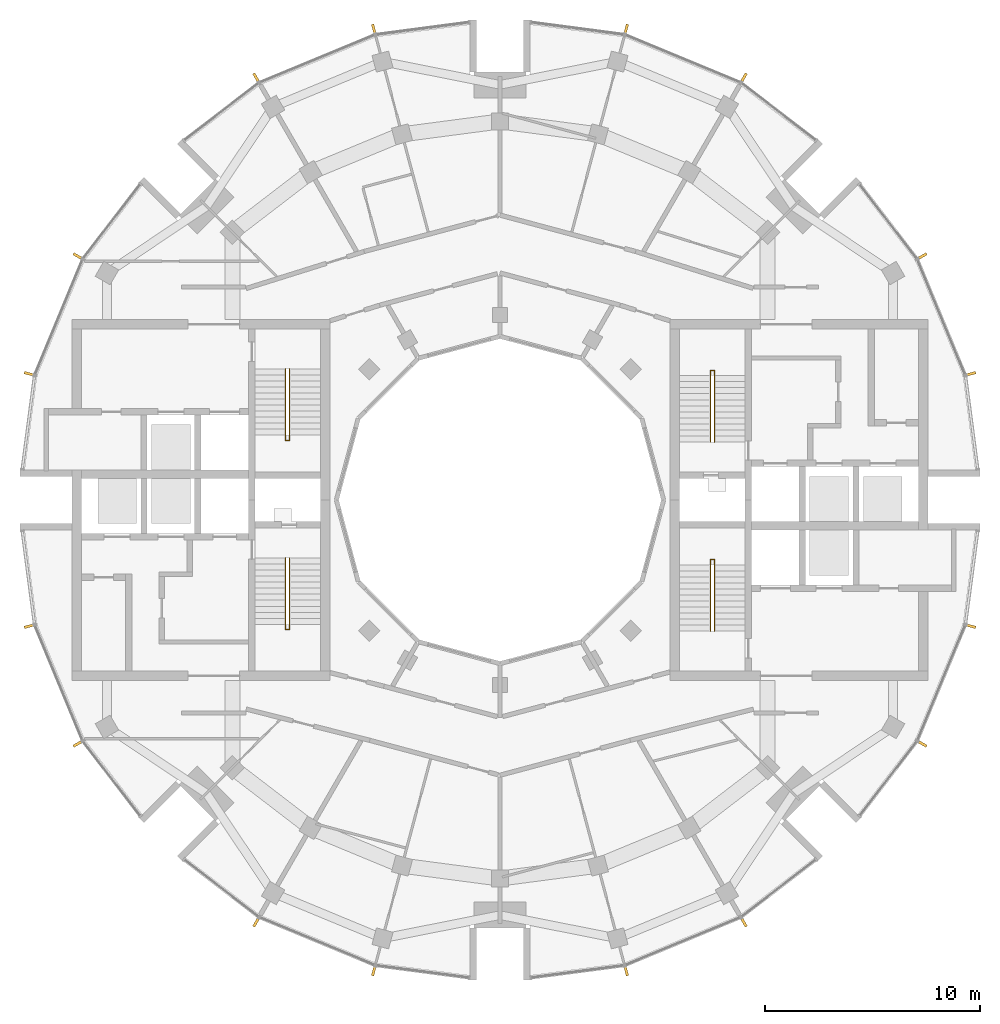
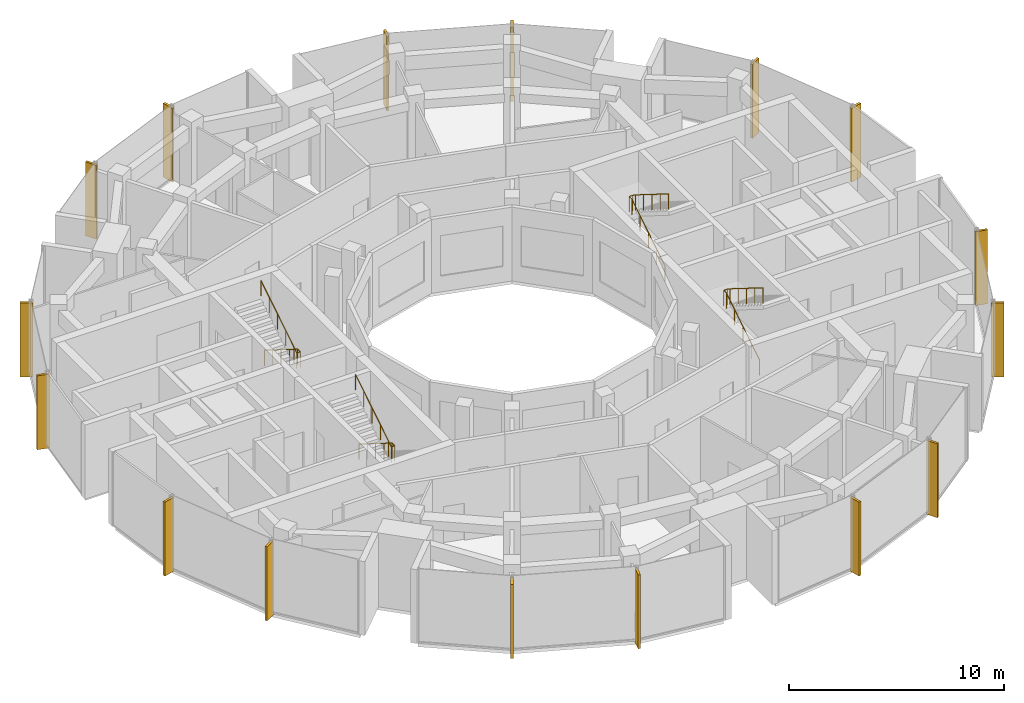
# One storey, part 13 of 14: 16 shading devices, 4 railings.
"""IFC4 building model written with IfcOpenShell, lengths in metres."""

from ifc_helpers import new_model, si_unit, direction, frame, origin, origin_2d, place, context, subcontext, project, spatial, rectangle, circle, extrude, material, material_profile, profile_set, type_object, element, save


model = new_model("IFC4")

# Units and contexts
model_context = context("Model", 3, precision=1e-05, world=origin(), true_north=direction((0.0, 1.0)))
body_context = subcontext(model_context, "Body", "Model", "MODEL_VIEW")
ifc_project = project(units=[si_unit("LENGTHUNIT", "METRE"), si_unit("AREAUNIT", "SQUARE_METRE"), si_unit("VOLUMEUNIT", "CUBIC_METRE"), si_unit("PLANEANGLEUNIT", "RADIAN"), si_unit("MASSUNIT", "GRAM", prefix="KILO")], contexts=[model_context])

# Site, building, storey
site_placement = place(None, origin())
site = spatial("IfcSite", under=ifc_project, at=site_placement, CompositionType="ELEMENT")
building_placement = place(site_placement, origin())
building = spatial("IfcBuilding", under=site, at=building_placement, Name="Torre Brocal", CompositionType="ELEMENT")
storey_placement = place(building_placement, frame((0.0, 0.0, 305.10009765625)))
storey = spatial("IfcBuildingStorey", under=building, at=storey_placement, Name="L70", CompositionType="ELEMENT", Elevation=305.10009765625)

# Shading devices
ifc_material_1 = material(Name="Aluminium, black anodised", Category="aluminium")
ifc_material_profile = material_profile(ifc_material_1, rectangle(XDim=0.1201171875, YDim=0.60009765625, at=origin_2d()), Name="FIN 120X600 4200 HIGH")
ifc_profile_set = profile_set([ifc_material_profile], Name="Aluminium, black anodised")
shading_device_type = type_object("IfcShadingDeviceType", Name="FIN 120X600 4200 HIGH", PredefinedType="USERDEFINED", material=ifc_profile_set)
for number, where, z_axis, x_axis, name in (
    (1, (101.828369140625, 80.848876953125, -0.150146484375), (0.0, 0.0, 1.0), (-0.258819045103, 0.965925826289, 0.0), "FIN"),
    (2, (99.57080078125, 86.299072265625, -0.150146484375), (0.0, 0.0, 1.0), (-0.5, 0.866025403784, 0.0), "FIN"),
    (3, (91.299072265625, 94.57080078125, -0.150146484375), (0.0, 0.0, 1.0), (-0.866025403784, 0.5, 0.0), "FIN"),
    (4, (85.848876953125, 96.828369140625, -0.150146484375), (0.0, 0.0, 1.0), (-0.965925826289, 0.258819045103, 0.0), "FIN"),
    (5, (74.151123046875, 96.828369140625, -0.150146484375), (0.0, 0.0, 1.0), (-0.965925826289, -0.258819045103, 0.0), "FIN"),
    (6, (68.700927734375, 94.57080078125, -0.150146484375), (0.0, 0.0, 1.0), (-0.866025403784, -0.5, 0.0), "FIN"),
    (7, (60.42919921875, 86.299072265625, -0.150146484375), (0.0, 0.0, 1.0), (-0.5, -0.866025403784, 0.0), "FIN"),
    (8, (58.171630859375, 80.848876953125, -0.150146484375), (0.0, 0.0, 1.0), (-0.258819045103, -0.965925826289, 0.0), "FIN"),
    (9, (58.171630859375, 69.151123046875, -0.150146484375), (0.0, 0.0, 1.0), (0.258819045103, -0.965925826289, 0.0), "FIN"),
    (10, (60.42919921875, 63.700927734375, -0.150146484375), (0.0, 0.0, 1.0), (0.5, -0.866025403784, 0.0), "FIN"),
    (11, (68.700927734375, 55.42919921875, -0.150146484375), (0.0, 0.0, 1.0), (0.866025403784, -0.5, 0.0), "FIN"),
    (12, (74.151123046875, 53.171630859375, -0.150146484375), (0.0, 0.0, 1.0), (0.965925826289, -0.258819045103, 0.0), "FIN"),
    (13, (85.848876953125, 53.171630859375, -0.150146484375), (0.0, 0.0, 1.0), (0.965925826289, 0.258819045103, 0.0), "FIN"),
    (14, (91.299072265625, 55.42919921875, -0.150146484375), (0.0, 0.0, 1.0), (0.866025403784, 0.5, 0.0), "FIN"),
    (15, (99.57080078125, 63.700927734375, -0.150146484375), (0.0, 0.0, 1.0), (0.5, 0.866025403784, 0.0), "FIN"),
    (16, (101.828369140625, 69.151123046875, -0.150146484375), (0.0, 0.0, 1.0), (0.258819045103, 0.965925826289, 0.0), "FIN"),
):
    element("IfcShadingDevice", number, at=place(storey_placement, frame(where, z_axis=z_axis, x_axis=x_axis)), inside=storey, type_object=shading_device_type, Name=name, ObjectType="FIN", PredefinedType="USERDEFINED", context=body_context, shape_type="SweptSolid", body=[
        extrude(rectangle(XDim=0.1201171875, YDim=0.60009765625, at=origin_2d()), origin(), (0.0, 0.0, 1.0), 4.199951171875),
    ])

# Railings
ifc_material_2 = material(Name="Stainless steel AISI 316", Category="steel")
railing_type = type_object("IfcRailingType", Name="STAIR HANDRAIL", PredefinedType="HANDRAIL", material=ifc_material_2)
railing_1_placement = place(storey_placement, frame((89.780029296875, 77.699951171875, 0.1748046875)))
element("IfcRailing", 17, at=railing_1_placement, inside=storey, type_object=railing_type, Name="HANDRAIL ST1", PredefinedType="HANDRAIL", context=body_context, shape_type="SweptSolid", body=[
    extrude(circle(Radius=0.02392578125, at=origin_2d()), frame((0.0, 0.0, 0.8759765625), z_axis=(0.0, 0.847998304005, 0.529998940003), x_axis=(-1.0, 0.0, 0.0)), (0.0, 0.0, 1.0), 3.632080078125),
    extrude(circle(Radius=0.02392578125, at=origin_2d()), frame((0.0, 3.080078125, 2.80078125), z_axis=(0.0, 1.0, 0.0), x_axis=(-1.0, 0.0, 0.0)), (0.0, 0.0, 1.0), 0.25),
    extrude(circle(Radius=0.02392578125, at=origin_2d()), frame((0.0, 3.330078125, 2.80078125), z_axis=(1.0, 0.0, 0.0), x_axis=(0.0, 1.0, 0.0)), (0.0, 0.0, 1.0), 0.18994140625),
    extrude(circle(Radius=0.02392578125, at=origin_2d()), frame((0.18994140625, 3.330078125, 2.80078125), z_axis=(0.0, -0.819156749665, 0.573569716318), x_axis=(1.0, 0.0, 0.0)), (0.0, 0.0, 1.0), 0.30517578125),
    extrude(circle(Radius=0.02392578125, at=origin_2d()), frame((0.18994140625, 3.080078125, 2.97607421875), z_axis=(0.0, -0.847998304005, 0.529998940003), x_axis=(1.0, 0.0, 0.0)), (0.0, 0.0, 1.0), 3.632080078125),
    extrude(circle(Radius=0.02099609375, at=origin_2d()), origin(), (0.0, 0.0, 1.0), 0.851806640625),
    extrude(circle(Radius=0.02099609375, at=origin_2d()), frame((0.0, 0.77001953125, 0.481201171875)), (0.0, 0.0, 1.0), 0.851806640625),
    extrude(circle(Radius=0.02099609375, at=origin_2d()), frame((0.0, 1.5400390625, 0.96240234375)), (0.0, 0.0, 1.0), 0.851806640625),
    extrude(circle(Radius=0.02099609375, at=origin_2d()), frame((0.0, 2.31005859375, 1.44384765625)), (0.0, 0.0, 1.0), 0.851806640625),
    extrude(circle(Radius=0.02099609375, at=origin_2d()), frame((0.0, 3.080078125, 1.925048828125)), (0.0, 0.0, 1.0), 0.851806640625),
    extrude(circle(Radius=0.02099609375, at=origin_2d()), frame((0.0, 3.330078125, 1.925048828125)), (0.0, 0.0, 1.0), 0.851806640625),
    extrude(circle(Radius=0.02099609375, at=origin_2d()), frame((0.18994140625, 3.330078125, 1.925048828125)), (0.0, 0.0, 1.0), 0.851806640625),
    extrude(circle(Radius=0.02099609375, at=origin_2d()), frame((0.18994140625, 3.080078125, 2.10009765625)), (0.0, 0.0, 1.0), 0.851806640625),
    extrude(circle(Radius=0.02099609375, at=origin_2d()), frame((0.18994140625, 2.31005859375, 2.581298828125)), (0.0, 0.0, 1.0), 0.851806640625),
    extrude(circle(Radius=0.02099609375, at=origin_2d()), frame((0.18994140625, 1.5400390625, 3.0625)), (0.0, 0.0, 1.0), 0.851806640625),
    extrude(circle(Radius=0.02099609375, at=origin_2d()), frame((0.18994140625, 0.77001953125, 3.5439453125)), (0.0, 0.0, 1.0), 0.851806640625),
    extrude(circle(Radius=0.02099609375, at=origin_2d()), frame((0.18994140625, 0.0, 4.025146484375)), (0.0, 0.0, 1.0), 0.851806640625),
])
railing_2_placement = place(storey_placement, frame((89.780029296875, 68.89990234375, 0.1748046875)))
element("IfcRailing", 18, at=railing_2_placement, inside=storey, type_object=railing_type, Name="HANDRAIL ST2", PredefinedType="HANDRAIL", context=body_context, shape_type="SweptSolid", body=[
    extrude(circle(Radius=0.02392578125, at=origin_2d()), frame((0.0, 0.0, 0.8759765625), z_axis=(0.0, 0.847998304005, 0.529998940003), x_axis=(-1.0, 0.0, 0.0)), (0.0, 0.0, 1.0), 3.632080078125),
    extrude(circle(Radius=0.02392578125, at=origin_2d()), frame((0.0, 3.080078125, 2.80078125), z_axis=(0.0, 1.0, 0.0), x_axis=(-1.0, 0.0, 0.0)), (0.0, 0.0, 1.0), 0.25),
    extrude(circle(Radius=0.02392578125, at=origin_2d()), frame((0.0, 3.330078125, 2.80078125), z_axis=(1.0, 0.0, 0.0), x_axis=(0.0, 1.0, 0.0)), (0.0, 0.0, 1.0), 0.18994140625),
    extrude(circle(Radius=0.02392578125, at=origin_2d()), frame((0.18994140625, 3.330078125, 2.80078125), z_axis=(0.0, -0.819156749665, 0.573569716318), x_axis=(1.0, 0.0, 0.0)), (0.0, 0.0, 1.0), 0.30517578125),
    extrude(circle(Radius=0.02392578125, at=origin_2d()), frame((0.18994140625, 3.080078125, 2.97607421875), z_axis=(0.0, -0.847998304005, 0.529998940003), x_axis=(1.0, 0.0, 0.0)), (0.0, 0.0, 1.0), 3.632080078125),
    extrude(circle(Radius=0.02099609375, at=origin_2d()), origin(), (0.0, 0.0, 1.0), 0.851806640625),
    extrude(circle(Radius=0.02099609375, at=origin_2d()), frame((0.0, 0.77001953125, 0.481201171875)), (0.0, 0.0, 1.0), 0.851806640625),
    extrude(circle(Radius=0.02099609375, at=origin_2d()), frame((0.0, 1.5400390625, 0.96240234375)), (0.0, 0.0, 1.0), 0.851806640625),
    extrude(circle(Radius=0.02099609375, at=origin_2d()), frame((0.0, 2.31005859375, 1.44384765625)), (0.0, 0.0, 1.0), 0.851806640625),
    extrude(circle(Radius=0.02099609375, at=origin_2d()), frame((0.0, 3.080078125, 1.925048828125)), (0.0, 0.0, 1.0), 0.851806640625),
    extrude(circle(Radius=0.02099609375, at=origin_2d()), frame((0.0, 3.330078125, 1.925048828125)), (0.0, 0.0, 1.0), 0.851806640625),
    extrude(circle(Radius=0.02099609375, at=origin_2d()), frame((0.18994140625, 3.330078125, 1.925048828125)), (0.0, 0.0, 1.0), 0.851806640625),
    extrude(circle(Radius=0.02099609375, at=origin_2d()), frame((0.18994140625, 3.080078125, 2.10009765625)), (0.0, 0.0, 1.0), 0.851806640625),
    extrude(circle(Radius=0.02099609375, at=origin_2d()), frame((0.18994140625, 2.31005859375, 2.581298828125)), (0.0, 0.0, 1.0), 0.851806640625),
    extrude(circle(Radius=0.02099609375, at=origin_2d()), frame((0.18994140625, 1.5400390625, 3.0625)), (0.0, 0.0, 1.0), 0.851806640625),
    extrude(circle(Radius=0.02099609375, at=origin_2d()), frame((0.18994140625, 0.77001953125, 3.5439453125)), (0.0, 0.0, 1.0), 0.851806640625),
    extrude(circle(Radius=0.02099609375, at=origin_2d()), frame((0.18994140625, 0.0, 4.025146484375)), (0.0, 0.0, 1.0), 0.851806640625),
])
railing_3_placement = place(storey_placement, frame((70.219970703125, 72.300048828125, 0.1748046875)))
element("IfcRailing", 19, at=railing_3_placement, inside=storey, type_object=railing_type, Name="HANDRAIL ST3", PredefinedType="HANDRAIL", context=body_context, shape_type="SweptSolid", body=[
    extrude(circle(Radius=0.02392578125, at=origin_2d()), frame((0.0, 0.0, 0.8759765625), z_axis=(0.0, -0.847998304005, 0.529998940003), x_axis=(1.0, 0.0, 0.0)), (0.0, 0.0, 1.0), 3.632080078125),
    extrude(circle(Radius=0.02392578125, at=origin_2d()), frame((0.0, -3.080078125, 2.80078125), z_axis=(0.0, -1.0, 0.0), x_axis=(1.0, 0.0, 0.0)), (0.0, 0.0, 1.0), 0.25),
    extrude(circle(Radius=0.02392578125, at=origin_2d()), frame((0.0, -3.330078125, 2.80078125), z_axis=(-1.0, 0.0, 0.0), x_axis=(0.0, -1.0, 0.0)), (0.0, 0.0, 1.0), 0.18994140625),
    extrude(circle(Radius=0.02392578125, at=origin_2d()), frame((-0.18994140625, -3.330078125, 2.80078125), z_axis=(0.0, 0.819156749665, 0.573569716318), x_axis=(-1.0, 0.0, 0.0)), (0.0, 0.0, 1.0), 0.30517578125),
    extrude(circle(Radius=0.02392578125, at=origin_2d()), frame((-0.18994140625, -3.080078125, 2.97607421875), z_axis=(0.0, 0.847998304005, 0.529998940003), x_axis=(-1.0, 0.0, 0.0)), (0.0, 0.0, 1.0), 3.632080078125),
    extrude(circle(Radius=0.02099609375, at=origin_2d()), origin(), (0.0, 0.0, 1.0), 0.851806640625),
    extrude(circle(Radius=0.02099609375, at=origin_2d()), frame((0.0, -0.77001953125, 0.481201171875)), (0.0, 0.0, 1.0), 0.851806640625),
    extrude(circle(Radius=0.02099609375, at=origin_2d()), frame((0.0, -1.5400390625, 0.96240234375)), (0.0, 0.0, 1.0), 0.851806640625),
    extrude(circle(Radius=0.02099609375, at=origin_2d()), frame((0.0, -2.31005859375, 1.44384765625)), (0.0, 0.0, 1.0), 0.851806640625),
    extrude(circle(Radius=0.02099609375, at=origin_2d()), frame((0.0, -3.080078125, 1.925048828125)), (0.0, 0.0, 1.0), 0.851806640625),
    extrude(circle(Radius=0.02099609375, at=origin_2d()), frame((0.0, -3.330078125, 1.925048828125)), (0.0, 0.0, 1.0), 0.851806640625),
    extrude(circle(Radius=0.02099609375, at=origin_2d()), frame((-0.18994140625, -3.330078125, 1.925048828125)), (0.0, 0.0, 1.0), 0.851806640625),
    extrude(circle(Radius=0.02099609375, at=origin_2d()), frame((-0.18994140625, -3.080078125, 2.10009765625)), (0.0, 0.0, 1.0), 0.851806640625),
    extrude(circle(Radius=0.02099609375, at=origin_2d()), frame((-0.18994140625, -2.31005859375, 2.581298828125)), (0.0, 0.0, 1.0), 0.851806640625),
    extrude(circle(Radius=0.02099609375, at=origin_2d()), frame((-0.18994140625, -1.5400390625, 3.0625)), (0.0, 0.0, 1.0), 0.851806640625),
    extrude(circle(Radius=0.02099609375, at=origin_2d()), frame((-0.18994140625, -0.77001953125, 3.5439453125)), (0.0, 0.0, 1.0), 0.851806640625),
    extrude(circle(Radius=0.02099609375, at=origin_2d()), frame((-0.18994140625, 0.0, 4.025146484375)), (0.0, 0.0, 1.0), 0.851806640625),
])
railing_4_placement = place(storey_placement, frame((70.219970703125, 81.10009765625, 0.1748046875)))
element("IfcRailing", 20, at=railing_4_placement, inside=storey, type_object=railing_type, Name="HANDRAIL ST4", PredefinedType="HANDRAIL", context=body_context, shape_type="SweptSolid", body=[
    extrude(circle(Radius=0.02392578125, at=origin_2d()), frame((0.0, 0.0, 0.8759765625), z_axis=(0.0, -0.847998304005, 0.529998940003), x_axis=(1.0, 0.0, 0.0)), (0.0, 0.0, 1.0), 3.632080078125),
    extrude(circle(Radius=0.02392578125, at=origin_2d()), frame((0.0, -3.080078125, 2.80078125), z_axis=(0.0, -1.0, 0.0), x_axis=(1.0, 0.0, 0.0)), (0.0, 0.0, 1.0), 0.25),
    extrude(circle(Radius=0.02392578125, at=origin_2d()), frame((0.0, -3.330078125, 2.80078125), z_axis=(-1.0, 0.0, 0.0), x_axis=(0.0, -1.0, 0.0)), (0.0, 0.0, 1.0), 0.18994140625),
    extrude(circle(Radius=0.02392578125, at=origin_2d()), frame((-0.18994140625, -3.330078125, 2.80078125), z_axis=(0.0, 0.819156749665, 0.573569716318), x_axis=(-1.0, 0.0, 0.0)), (0.0, 0.0, 1.0), 0.30517578125),
    extrude(circle(Radius=0.02392578125, at=origin_2d()), frame((-0.18994140625, -3.080078125, 2.97607421875), z_axis=(0.0, 0.847998304005, 0.529998940003), x_axis=(-1.0, 0.0, 0.0)), (0.0, 0.0, 1.0), 3.632080078125),
    extrude(circle(Radius=0.02099609375, at=origin_2d()), origin(), (0.0, 0.0, 1.0), 0.851806640625),
    extrude(circle(Radius=0.02099609375, at=origin_2d()), frame((0.0, -0.77001953125, 0.481201171875)), (0.0, 0.0, 1.0), 0.851806640625),
    extrude(circle(Radius=0.02099609375, at=origin_2d()), frame((0.0, -1.5400390625, 0.96240234375)), (0.0, 0.0, 1.0), 0.851806640625),
    extrude(circle(Radius=0.02099609375, at=origin_2d()), frame((0.0, -2.31005859375, 1.44384765625)), (0.0, 0.0, 1.0), 0.851806640625),
    extrude(circle(Radius=0.02099609375, at=origin_2d()), frame((0.0, -3.080078125, 1.925048828125)), (0.0, 0.0, 1.0), 0.851806640625),
    extrude(circle(Radius=0.02099609375, at=origin_2d()), frame((0.0, -3.330078125, 1.925048828125)), (0.0, 0.0, 1.0), 0.851806640625),
    extrude(circle(Radius=0.02099609375, at=origin_2d()), frame((-0.18994140625, -3.330078125, 1.925048828125)), (0.0, 0.0, 1.0), 0.851806640625),
    extrude(circle(Radius=0.02099609375, at=origin_2d()), frame((-0.18994140625, -3.080078125, 2.10009765625)), (0.0, 0.0, 1.0), 0.851806640625),
    extrude(circle(Radius=0.02099609375, at=origin_2d()), frame((-0.18994140625, -2.31005859375, 2.581298828125)), (0.0, 0.0, 1.0), 0.851806640625),
    extrude(circle(Radius=0.02099609375, at=origin_2d()), frame((-0.18994140625, -1.5400390625, 3.0625)), (0.0, 0.0, 1.0), 0.851806640625),
    extrude(circle(Radius=0.02099609375, at=origin_2d()), frame((-0.18994140625, -0.77001953125, 3.5439453125)), (0.0, 0.0, 1.0), 0.851806640625),
    extrude(circle(Radius=0.02099609375, at=origin_2d()), frame((-0.18994140625, 0.0, 4.025146484375)), (0.0, 0.0, 1.0), 0.851806640625),
])

save(model, "model.ifc")
